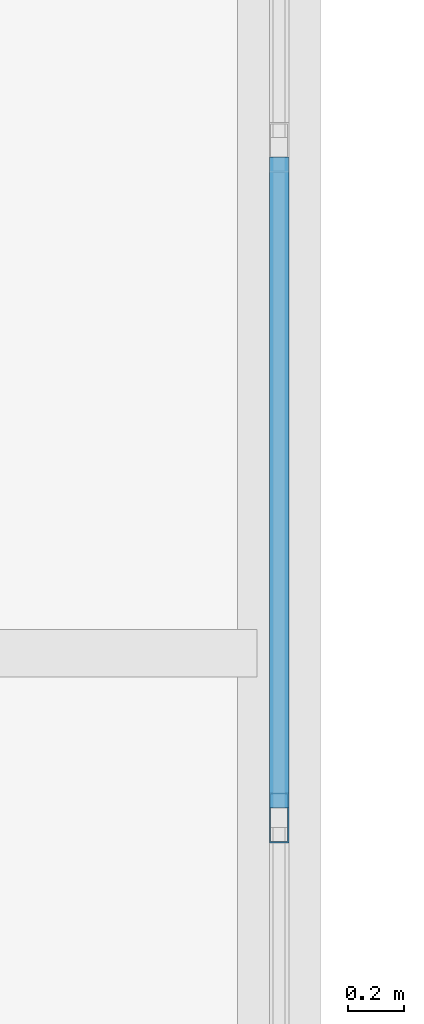
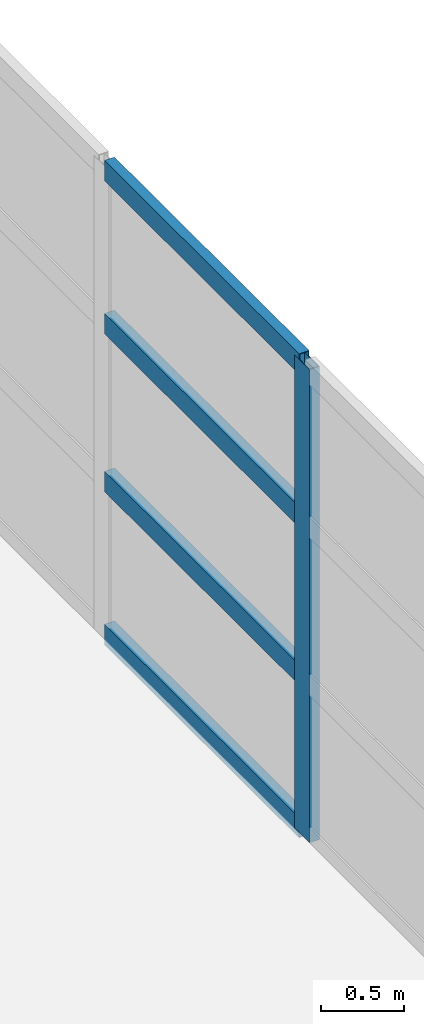
# One storey, part 93 of 158: 5 members, 1 element without a shape of its own.
"""IFC4 building model written with IfcOpenShell, lengths in metres."""

from ifc_helpers import new_model, si_unit, direction, frame, origin, origin_2d, place, context, subcontext, project, spatial, hollow_rectangle, extrude, material, layer, layer_set, material_profile, profile_set, type_object, element, aggregate, save


model = new_model("IFC4")

# Units and contexts
model_context = context("Model", 3, precision=1e-05, world=origin(), true_north=direction((0.0, 1.0)))
body_context = subcontext(model_context, "Body", "Model", "MODEL_VIEW")
ifc_project = project(units=[si_unit("LENGTHUNIT", "METRE"), si_unit("AREAUNIT", "SQUARE_METRE"), si_unit("VOLUMEUNIT", "CUBIC_METRE"), si_unit("PLANEANGLEUNIT", "RADIAN"), si_unit("MASSUNIT", "GRAM", prefix="KILO")], contexts=[model_context])

# Site, building, storey
site_placement = place(None, origin())
site = spatial("IfcSite", under=ifc_project, at=site_placement, CompositionType="ELEMENT")
building_placement = place(site_placement, origin())
building = spatial("IfcBuilding", under=site, at=building_placement, Name="Zilviju Railside Exhibition Hall", CompositionType="ELEMENT")
storey_placement = place(building_placement, frame((0.0, 0.0, 4.199951171875)))
storey = spatial("IfcBuildingStorey", under=building, at=storey_placement, Name="L02", CompositionType="ELEMENT", Elevation=4.199951171875)

# Curtain wall, members
ifc_material_1 = material(Name="Thermally broken aluminium-steel triple-glazed curtain wall", Category="steel")
ifc_layer = layer(ifc_material_1, 0.179931640625)
ifc_layer_set = layer_set([ifc_layer], Name="Thermally broken aluminium-steel triple-glazed curtain wall")
curtain_wall_type = type_object("IfcCurtainWallType", Name="CW-BAY-11", PredefinedType="USERDEFINED", material=ifc_layer_set)
curtain_wall_placement = place(storey_placement, origin())
curtain_wall = element("IfcCurtainWall", 1, at=curtain_wall_placement, inside=storey, type_object=curtain_wall_type, Name="South Hall East Glazed Gable L02 (36..54)", ObjectType="GLAZED CURTAIN WALL", PredefinedType="USERDEFINED")
ifc_material_2 = material(Name="Thermally broken anodized aluminium mullion", Category="aluminium")
ifc_material_profile_1 = material_profile(ifc_material_2, hollow_rectangle(XDim=0.070068359375, YDim=0.179931640625, WallThickness=0.0048828125, at=origin_2d()), Name="MULLION 180x70x5")
ifc_profile_set_1 = profile_set([ifc_material_profile_1], Name="Thermally broken anodized aluminium mullion")
member_type_1 = type_object("IfcMemberType", Name="CWM-70x180", PredefinedType="MULLION", material=ifc_profile_set_1)
member_1_placement = place(storey_placement, frame((216.0, 46.20703125, 0.0), z_axis=(0.0, 0.0, 1.0), x_axis=(1.0, 0.0, 0.0)))
member_1 = element("IfcMember", 2, at=member_1_placement, type_object=member_type_1, Name="CW-11 mullion 4", PredefinedType="MULLION", context=body_context, shape_type="SweptSolid", body=[
    extrude(hollow_rectangle(XDim=0.070068359375, YDim=0.179931640625, WallThickness=0.0048828125, at=origin_2d()), origin(), (0.0, 0.0, 1.0), 3.47998046875),
])
ifc_material_3 = material(Name="Thermally broken anodized aluminium transom", Category="aluminium")
ifc_material_profile_2 = material_profile(ifc_material_3, hollow_rectangle(XDim=0.070068359375, YDim=0.14990234375, WallThickness=0.0048828125, at=origin_2d()), Name="TRANSOM 150x70x5")
ifc_profile_set_2 = profile_set([ifc_material_profile_2], Name="Thermally broken anodized aluminium transom")
member_type_2 = type_object("IfcMemberType", Name="CWT-70x150", PredefinedType="USERDEFINED", material=ifc_profile_set_2)
member_2_placement = place(storey_placement, frame((216.0, 48.58642578125, 0.03515625), z_axis=(0.0, -1.0, 0.0), x_axis=(1.0, 0.0, 0.0)))
member_2 = element("IfcMember", 3, at=member_2_placement, type_object=member_type_2, Name="CW-11 transom 3.1", ObjectType="TRANSOM", PredefinedType="USERDEFINED", context=body_context, shape_type="SweptSolid", body=[
    extrude(hollow_rectangle(XDim=0.070068359375, YDim=0.14990234375, WallThickness=0.0048828125, at=origin_2d()), origin(), (0.0, 0.0, 1.0), 2.34423828125),
])
member_3_placement = place(storey_placement, frame((216.0, 48.58642578125, 1.16015625), z_axis=(0.0, -1.0, 0.0), x_axis=(1.0, 0.0, 0.0)))
member_3 = element("IfcMember", 4, at=member_3_placement, type_object=member_type_2, Name="CW-11 transom 3.2", ObjectType="TRANSOM", PredefinedType="USERDEFINED", context=body_context, shape_type="SweptSolid", body=[
    extrude(hollow_rectangle(XDim=0.070068359375, YDim=0.14990234375, WallThickness=0.0048828125, at=origin_2d()), origin(), (0.0, 0.0, 1.0), 2.34423828125),
])
member_4_placement = place(storey_placement, frame((216.0, 48.58642578125, 2.320068359375), z_axis=(0.0, -1.0, 0.0), x_axis=(1.0, 0.0, 0.0)))
member_4 = element("IfcMember", 5, at=member_4_placement, type_object=member_type_2, Name="CW-11 transom 3.3", ObjectType="TRANSOM", PredefinedType="USERDEFINED", context=body_context, shape_type="SweptSolid", body=[
    extrude(hollow_rectangle(XDim=0.070068359375, YDim=0.14990234375, WallThickness=0.0048828125, at=origin_2d()), origin(), (0.0, 0.0, 1.0), 2.34423828125),
])
member_5_placement = place(storey_placement, frame((216.0, 48.58642578125, 3.445068359375), z_axis=(0.0, -1.0, 0.0), x_axis=(1.0, 0.0, 0.0)))
member_5 = element("IfcMember", 6, at=member_5_placement, type_object=member_type_2, Name="CW-11 transom 3.4", ObjectType="TRANSOM", PredefinedType="USERDEFINED", context=body_context, shape_type="SweptSolid", body=[
    extrude(hollow_rectangle(XDim=0.070068359375, YDim=0.14990234375, WallThickness=0.0048828125, at=origin_2d()), origin(), (0.0, 0.0, 1.0), 2.34423828125),
])
aggregate(curtain_wall, [member_1, member_2, member_3, member_4, member_5])

save(model, "model.ifc")
